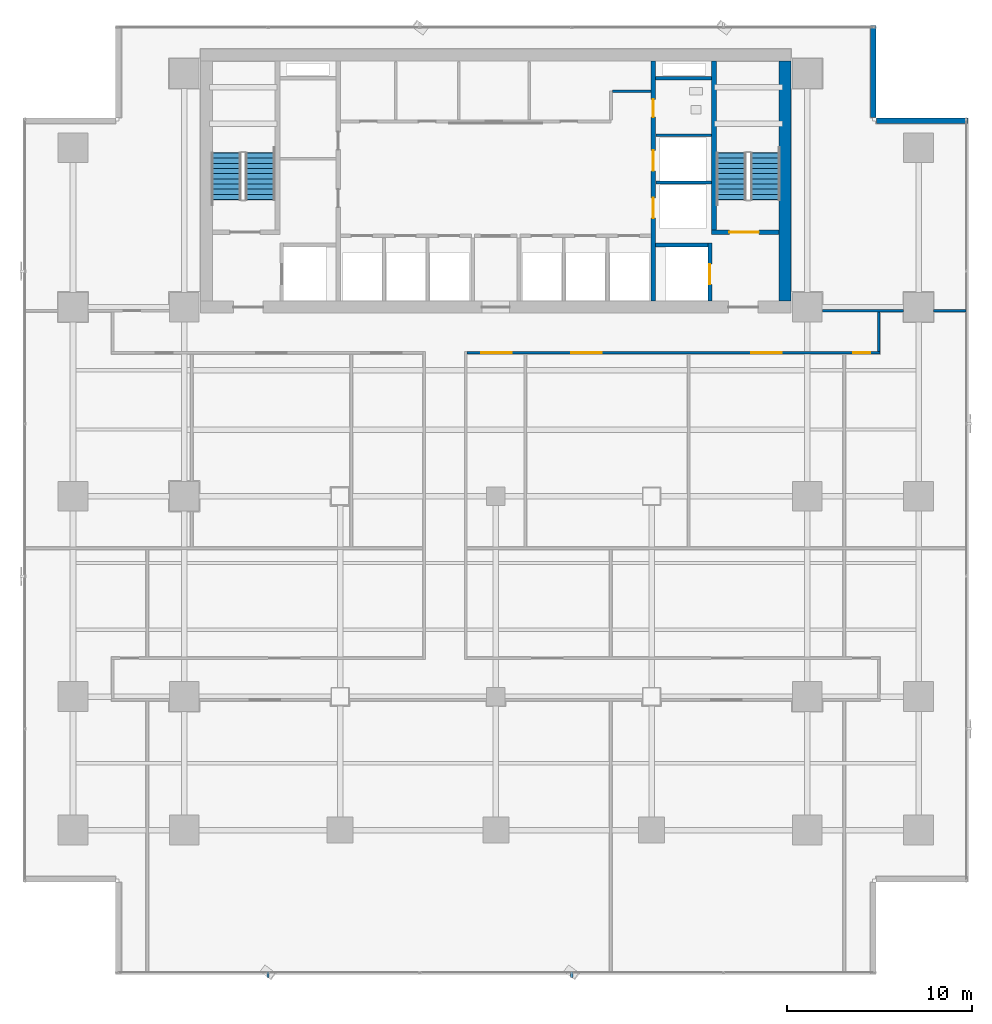
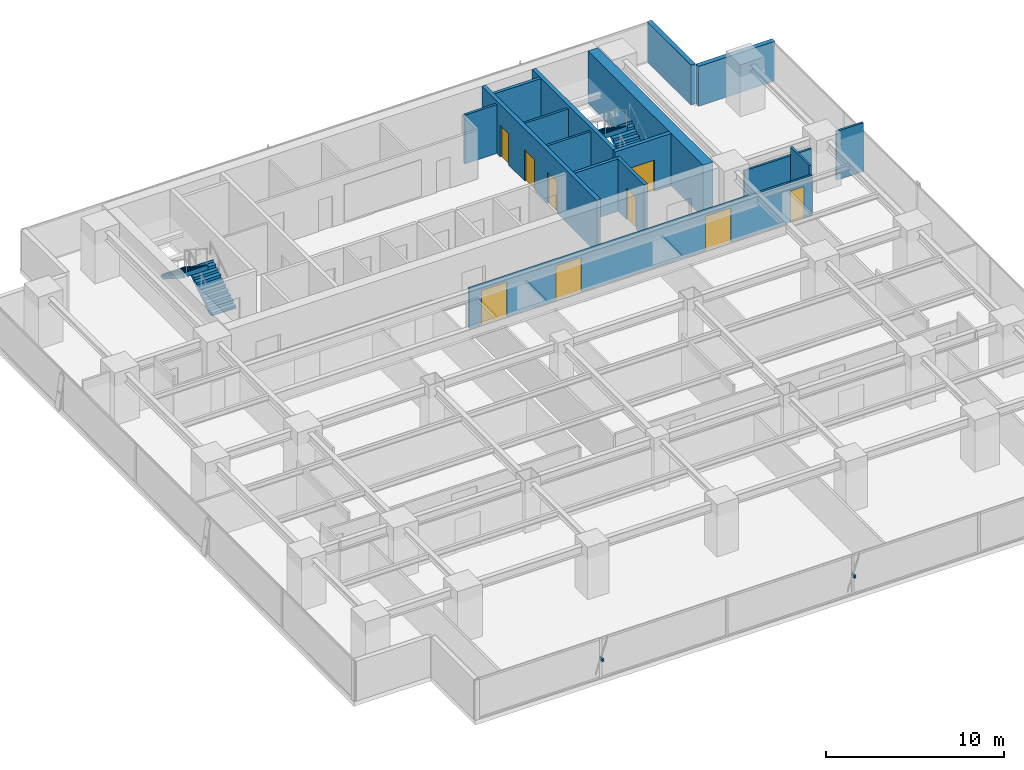
# One storey, part 30 of 36: 16 walls, 9 doors, 4 stair flights, 2 discrete accessories, 9 openings, 2 elements without a shape of their own.
"""IFC4 building model written with IfcOpenShell, lengths in metres."""

from ifc_helpers import new_model, si_unit, direction, frame, frame_2d, origin, origin_2d, place, context, subcontext, project, spatial, polyline, rectangle, outline, extrude, source, transform, mapped, material, layer, layer_set, material_profile, profile_set, type_object, element, fill, aggregate, save


model = new_model("IFC4")

# Units and contexts
model_context = context("Model", 3, precision=1e-05, world=origin(), true_north=direction((0.0, 1.0)))
body_context = subcontext(model_context, "Body", "Model", "MODEL_VIEW")
ifc_project = project(units=[si_unit("LENGTHUNIT", "METRE"), si_unit("AREAUNIT", "SQUARE_METRE"), si_unit("VOLUMEUNIT", "CUBIC_METRE"), si_unit("PLANEANGLEUNIT", "RADIAN"), si_unit("MASSUNIT", "GRAM", prefix="KILO")], contexts=[model_context])

# Site, building, storey
site_placement = place(None, origin())
site = spatial("IfcSite", under=ifc_project, at=site_placement, CompositionType="ELEMENT")
building_placement = place(site_placement, origin())
building = spatial("IfcBuilding", under=site, at=building_placement, Name="Sumidabori Civic Tower", CompositionType="ELEMENT")
storey_placement = place(building_placement, frame((0.0, 0.0, 77.60009765625)))
storey = spatial("IfcBuildingStorey", under=building, at=storey_placement, Name="L19", CompositionType="ELEMENT", Elevation=77.60009765625)

# Walls
ifc_material_1 = material(Name="Concrete C50/60", Category="concrete")
ifc_layer_1 = layer(ifc_material_1, 0.199951171875, Name="Concrete C50/60")
ifc_layer_set_1 = layer_set([ifc_layer_1], Name="Concrete C50/60")
wall_type_1 = type_object("IfcWallType", Name="WL-SHAFT-200", PredefinedType="SHEAR", material=ifc_layer_set_1)
shared_shape_1 = source(origin(), body_context, "Body", "SweptSolid", [
    extrude(rectangle(XDim=2.824951171875, YDim=0.199951171875, at=frame_2d((1.41259765625, 0.0))), origin(), (0.0, 0.0, 1.0), 3.599853515625),
])
wall_1_placement = place(storey_placement, frame((8.625, 13.550048828125, 0.0), z_axis=(0.0, 0.0, 1.0), x_axis=(1.0, 0.0, 0.0)))
element("IfcWall", 1, at=wall_1_placement, inside=storey, type_object=wall_type_1, Name="Core Shear Wall L19 EL2-N", PredefinedType="SHEAR", context=body_context, shape_type="MappedRepresentation", body=[
    mapped(shared_shape_1, transform((0.0, 0.0, 0.0), x_axis=(1.0, 0.0, 0.0), y_axis=(0.0, 1.0, 0.0), z_axis=(0.0, 0.0, 1.0), scale=1.0)),
])
shared_shape_2 = source(origin(), body_context, "Body", "SweptSolid", [
    extrude(rectangle(XDim=3.02001953125, YDim=0.199951171875, at=frame_2d((1.510009765625, 0.0))), origin(), (0.0, 0.0, 1.0), 3.599853515625),
])
wall_2_placement = place(storey_placement, frame((8.625, 22.550048828125, 0.0), z_axis=(0.0, 0.0, 1.0), x_axis=(1.0, 0.0, 0.0)))
element("IfcWall", 2, at=wall_2_placement, inside=storey, type_object=wall_type_1, Name="Core Shear Wall L19 RIS2-S", PredefinedType="SHEAR", context=body_context, shape_type="MappedRepresentation", body=[
    mapped(shared_shape_2, transform((0.0, 0.0, 0.0), x_axis=(1.0, 0.0, 0.0), y_axis=(0.0, 1.0, 0.0), z_axis=(0.0, 0.0, 1.0), scale=1.0)),
])
ifc_material_2 = material(Name="Concrete C60/75", Category="concrete")
ifc_layer_2 = layer(ifc_material_2, 0.64990234375, Name="Concrete C60/75")
ifc_layer_set_2 = layer_set([ifc_layer_2], Name="Concrete C60/75")
wall_type_2 = type_object("IfcWallType", Name="WL-CORE-650", PredefinedType="SHEAR", material=ifc_layer_set_2)
shared_shape_3 = source(origin(), body_context, "Body", "SweptSolid", [
    extrude(rectangle(XDim=12.9501953125, YDim=0.64990234375, at=frame_2d((6.47509765625, 0.0))), origin(), (0.0, 0.0, 1.0), 3.599853515625),
])
wall_3_placement = place(storey_placement, frame((15.60009765625, 10.52490234375, 0.0), z_axis=(0.0, 0.0, 1.0), x_axis=(0.0, 1.0, 0.0)))
element("IfcWall", 3, at=wall_3_placement, inside=storey, type_object=wall_type_2, Name="Core Shear Wall L19 E", PredefinedType="SHEAR", context=body_context, shape_type="MappedRepresentation", body=[
    mapped(shared_shape_3, transform((0.0, 0.0, 0.0), x_axis=(1.0, 0.0, 0.0), y_axis=(0.0, 1.0, 0.0), z_axis=(0.0, 0.0, 1.0), scale=1.0)),
])

# Wall, openings, doors
ifc_layer_3 = layer(ifc_material_1, 0.25, Name="Concrete C50/60")
ifc_layer_set_3 = layer_set([ifc_layer_3], Name="Concrete C50/60")
wall_type_3 = type_object("IfcWallType", Name="WL-SHAFT-250", PredefinedType="SHEAR", material=ifc_layer_set_3)
shared_shape_4 = source(origin(), body_context, "Body", "SweptSolid", [
    extrude(rectangle(XDim=12.9501953125, YDim=0.25, at=frame_2d((6.47509765625, 0.0))), origin(), (0.0, 0.0, 1.0), 3.599853515625),
])
wall_4_placement = place(storey_placement, frame((8.5, 10.52490234375, 0.0), z_axis=(0.0, 0.0, 1.0), x_axis=(0.0, 1.0, 0.0)))
wall_4 = element("IfcWall", 4, at=wall_4_placement, inside=storey, type_object=wall_type_3, Name="Core Shear Wall L19 WEB-E", PredefinedType="SHEAR", context=body_context, shape_type="MappedRepresentation", body=[
    mapped(shared_shape_4, transform((0.0, 0.0, 0.0), x_axis=(1.0, 0.0, 0.0), y_axis=(0.0, 1.0, 0.0), z_axis=(0.0, 0.0, 1.0), scale=1.0)),
])
opening_1_placement = place(wall_4_placement, frame((4.47509765625, 0.0, 0.0)))
opening_1 = element("IfcOpeningElement", 5, at=opening_1_placement, cuts=wall_4, Name="Opening LD-1", PredefinedType="OPENING", context=body_context, shape_type="SweptSolid", body=[
    extrude(rectangle(XDim=1.10009765625, YDim=2.14990234375, at=frame_2d((0.550048828125, 1.074951171875))), frame((0.0, 0.136962890625, 0.0), z_axis=(0.0, -1.0, 0.0), x_axis=(1.0, 0.0, 0.0)), (0.0, 0.0, 1.0), 0.27392578125),
])
opening_2_placement = place(wall_4_placement, frame((7.02490234375, 0.0, 0.0)))
opening_2 = element("IfcOpeningElement", 6, at=opening_2_placement, cuts=wall_4, Name="Opening LD-1", PredefinedType="OPENING", context=body_context, shape_type="SweptSolid", body=[
    extrude(rectangle(XDim=1.10009765625, YDim=2.14990234375, at=frame_2d((0.550048828125, 1.074951171875))), frame((0.0, 0.136962890625, 0.0), z_axis=(0.0, -1.0, 0.0), x_axis=(1.0, 0.0, 0.0)), (0.0, 0.0, 1.0), 0.27392578125),
])
opening_3_placement = place(wall_4_placement, frame((9.925048828125, 0.0, 0.0)))
opening_3 = element("IfcOpeningElement", 7, at=opening_3_placement, cuts=wall_4, Name="Opening DR-2", PredefinedType="OPENING", context=body_context, shape_type="SweptSolid", body=[
    extrude(rectangle(XDim=0.949951171875, YDim=2.14990234375, at=frame_2d((0.47509765625, 1.074951171875))), frame((0.0, 0.136962890625, 0.0), z_axis=(0.0, -1.0, 0.0), x_axis=(1.0, 0.0, 0.0)), (0.0, 0.0, 1.0), 0.27392578125),
])
ifc_material_3 = material(Name="Stainless Steel Hairline Finish", Category="steel")
door_type_1 = type_object("IfcDoorType", Name="DR-LD1", OperationType="DOUBLE_DOOR_SLIDING", PredefinedType="DOOR", material=ifc_material_3)
shared_shape_5 = source(origin(), body_context, "Body", "SweptSolid", [
    extrude(rectangle(XDim=1.10009765625, YDim=2.14990234375, at=frame_2d((0.550048828125, 1.074951171875))), frame((0.0, 0.02490234375, 0.0), z_axis=(0.0, -1.0, 0.0), x_axis=(1.0, 0.0, 0.0)), (0.0, 0.0, 1.0), 0.050048828125),
])
door_1_placement = place(opening_1_placement, origin())
door_1 = element("IfcDoor", 8, at=door_1_placement, inside=storey, type_object=door_type_1, Name="Door DR:L19:LD-OBS1", OperationType="DOUBLE_DOOR_SLIDING", OverallHeight=2.14990234375, OverallWidth=1.10009765625, PredefinedType="DOOR", context=body_context, shape_type="MappedRepresentation", body=[
    mapped(shared_shape_5, transform((0.0, 0.0, 0.0), x_axis=(1.0, 0.0, 0.0), y_axis=(0.0, 1.0, 0.0), z_axis=(0.0, 0.0, 1.0), scale=1.0)),
])
fill(opening_1, door_1)
door_2_placement = place(opening_2_placement, origin())
door_2 = element("IfcDoor", 9, at=door_2_placement, inside=storey, type_object=door_type_1, Name="Door DR:L19:LD-OBS2", OperationType="DOUBLE_DOOR_SLIDING", OverallHeight=2.14990234375, OverallWidth=1.10009765625, PredefinedType="DOOR", context=body_context, shape_type="MappedRepresentation", body=[
    mapped(shared_shape_5, transform((0.0, 0.0, 0.0), x_axis=(1.0, 0.0, 0.0), y_axis=(0.0, 1.0, 0.0), z_axis=(0.0, 0.0, 1.0), scale=1.0)),
])
fill(opening_2, door_2)
ifc_material_4 = material(Name="Japanese Hinoki Timber", Category="wood")
door_type_2 = type_object("IfcDoorType", Name="DR-INT-950", OperationType="NOTDEFINED", PredefinedType="DOOR", material=ifc_material_4)
shared_shape_6 = source(origin(), body_context, "Body", "SweptSolid", [
    extrude(rectangle(XDim=0.949951171875, YDim=2.14990234375, at=frame_2d((0.47509765625, 1.074951171875))), frame((0.0, 0.02490234375, 0.0), z_axis=(0.0, -1.0, 0.0), x_axis=(1.0, 0.0, 0.0)), (0.0, 0.0, 1.0), 0.050048828125),
])
door_3_placement = place(opening_3_placement, origin())
door_3 = element("IfcDoor", 10, at=door_3_placement, inside=storey, type_object=door_type_2, Name="Door DR:L19:WC-ACC", OperationType="SINGLE_SWING_RIGHT", OverallHeight=2.14990234375, OverallWidth=0.949951171875, PredefinedType="DOOR", context=body_context, shape_type="MappedRepresentation", body=[
    mapped(shared_shape_6, transform((0.0, 0.0, 0.0), x_axis=(1.0, 0.0, 0.0), y_axis=(0.0, 1.0, 0.0), z_axis=(0.0, 0.0, 1.0), scale=1.0)),
])
fill(opening_3, door_3)

# Wall, opening, door
shared_shape_7 = source(origin(), body_context, "Body", "SweptSolid", [
    extrude(rectangle(XDim=3.6298828125, YDim=0.25, at=frame_2d((1.81494140625, 0.0))), origin(), (0.0, 0.0, 1.0), 3.599853515625),
])
wall_5_placement = place(storey_placement, frame((11.64501953125, 14.25, 0.0), z_axis=(0.0, 0.0, 1.0), x_axis=(1.0, 0.0, 0.0)))
wall_5 = element("IfcWall", 11, at=wall_5_placement, inside=storey, type_object=wall_type_3, Name="Core Shear Wall L19 ST2-S", PredefinedType="SHEAR", context=body_context, shape_type="MappedRepresentation", body=[
    mapped(shared_shape_7, transform((0.0, 0.0, 0.0), x_axis=(1.0, 0.0, 0.0), y_axis=(0.0, 1.0, 0.0), z_axis=(0.0, 0.0, 1.0), scale=1.0)),
])
opening_4_placement = place(wall_5_placement, frame((0.949951171875, 0.0, 0.0)))
opening_4 = element("IfcOpeningElement", 12, at=opening_4_placement, cuts=wall_5, Name="Opening DR-FD4", PredefinedType="OPENING", context=body_context, shape_type="SweptSolid", body=[
    extrude(rectangle(XDim=1.60009765625, YDim=2.14990234375, at=frame_2d((0.800048828125, 1.074951171875))), frame((0.0, 0.136962890625, 0.0), z_axis=(0.0, -1.0, 0.0), x_axis=(1.0, 0.0, 0.0)), (0.0, 0.0, 1.0), 0.27392578125),
])
ifc_material_5 = material(Name="Steel SN490", Category="steel")
door_type_3 = type_object("IfcDoorType", Name="DR-FD4", OperationType="DOUBLE_DOOR_SINGLE_SWING", PredefinedType="DOOR", material=ifc_material_5)
shared_shape_8 = source(origin(), body_context, "Body", "SweptSolid", [
    extrude(rectangle(XDim=1.60009765625, YDim=2.14990234375, at=frame_2d((0.800048828125, 1.074951171875))), frame((0.0, 0.02490234375, 0.0), z_axis=(0.0, -1.0, 0.0), x_axis=(1.0, 0.0, 0.0)), (0.0, 0.0, 1.0), 0.050048828125),
])
door_4_placement = place(opening_4_placement, origin())
door_4 = element("IfcDoor", 13, at=door_4_placement, inside=storey, type_object=door_type_3, Name="Door DR:L19:ST2", OperationType="DOUBLE_DOOR_SINGLE_SWING", OverallHeight=2.14990234375, OverallWidth=1.60009765625, PredefinedType="DOOR", context=body_context, shape_type="MappedRepresentation", body=[
    mapped(shared_shape_8, transform((0.0, 0.0, 0.0), x_axis=(1.0, 0.0, 0.0), y_axis=(0.0, 1.0, 0.0), z_axis=(0.0, 0.0, 1.0), scale=1.0)),
])
fill(opening_4, door_4)

# Wall
shared_shape_9 = source(origin(), body_context, "Body", "SweptSolid", [
    extrude(rectangle(XDim=9.10009765625, YDim=0.25, at=frame_2d((4.550048828125, 0.0))), origin(), (0.0, 0.0, 1.0), 3.599853515625),
])
wall_6_placement = place(storey_placement, frame((11.77001953125, 14.375, 0.0), z_axis=(0.0, 0.0, 1.0), x_axis=(0.0, 1.0, 0.0)))
element("IfcWall", 14, at=wall_6_placement, inside=storey, type_object=wall_type_3, Name="Core Shear Wall L19 ST2-W", PredefinedType="SHEAR", context=body_context, shape_type="MappedRepresentation", body=[
    mapped(shared_shape_9, transform((0.0, 0.0, 0.0), x_axis=(1.0, 0.0, 0.0), y_axis=(0.0, 1.0, 0.0), z_axis=(0.0, 0.0, 1.0), scale=1.0)),
])

# Wall, opening, door
shared_shape_10 = source(origin(), body_context, "Body", "SweptSolid", [
    extrude(rectangle(XDim=3.125, YDim=0.199951171875, at=frame_2d((1.5625, 0.0))), origin(), (0.0, 0.0, 1.0), 3.599853515625),
])
wall_7_placement = place(storey_placement, frame((11.550048828125, 10.52490234375, 0.0), z_axis=(0.0, 0.0, 1.0), x_axis=(0.0, 1.0, 0.0)))
wall_7 = element("IfcWall", 15, at=wall_7_placement, inside=storey, type_object=wall_type_1, Name="Core Shear Wall L19 EL2-E", PredefinedType="SHEAR", context=body_context, shape_type="MappedRepresentation", body=[
    mapped(shared_shape_10, transform((0.0, 0.0, 0.0), x_axis=(1.0, 0.0, 0.0), y_axis=(0.0, 1.0, 0.0), z_axis=(0.0, 0.0, 1.0), scale=1.0)),
])
opening_5_placement = place(wall_7_placement, frame((0.89990234375, 0.0, 0.0)))
opening_5 = element("IfcOpeningElement", 16, at=opening_5_placement, cuts=wall_7, Name="Opening LD-2", PredefinedType="OPENING", context=body_context, shape_type="SweptSolid", body=[
    extrude(rectangle(XDim=1.10009765625, YDim=2.14990234375, at=frame_2d((0.550048828125, 1.074951171875))), frame((0.0, 0.11181640625, 0.0), z_axis=(0.0, -1.0, 0.0), x_axis=(1.0, 0.0, 0.0)), (0.0, 0.0, 1.0), 0.223876953125),
])
door_type_4 = type_object("IfcDoorType", Name="DR-LD2", OperationType="DOUBLE_DOOR_SLIDING", PredefinedType="DOOR", material=ifc_material_3)
door_5_placement = place(opening_5_placement, origin())
door_5 = element("IfcDoor", 17, at=door_5_placement, inside=storey, type_object=door_type_4, Name="Door DR:L19:LD-EL2", OperationType="DOUBLE_DOOR_SLIDING", OverallHeight=2.14990234375, OverallWidth=1.10009765625, PredefinedType="DOOR", context=body_context, shape_type="MappedRepresentation", body=[
    mapped(shared_shape_5, transform((0.0, 0.0, 0.0), x_axis=(1.0, 0.0, 0.0), y_axis=(0.0, 1.0, 0.0), z_axis=(0.0, 0.0, 1.0), scale=1.0)),
])
fill(opening_5, door_5)

# Walls
ifc_material_6 = material(Name="Precast concrete C40/50", Category="concrete")
ifc_layer_4 = layer(ifc_material_6, 0.300048828125, Name="Precast concrete C40/50")
ifc_layer_set_4 = layer_set([ifc_layer_4], Name="Precast concrete C40/50")
wall_type_4 = type_object("IfcWallType", Name="WL-EXT-POD300", PredefinedType="STANDARD", material=ifc_layer_set_4)
shared_shape_11 = source(origin(), body_context, "Body", "SweptSolid", [
    extrude(rectangle(XDim=4.9599609375, YDim=0.300048828125, at=frame_2d((2.47998046875, 0.0))), origin(), (0.0, 0.0, 1.0), 2.739990234375),
])
for number, where, z_axis, x_axis, name in (
    (18, (25.47998046875, 20.25, 0.0), (0.0, 0.0, 1.0), (-1.0, 0.0, 0.0), "Notched Corner Spandrel Band L19-05"),
    (19, (20.35009765625, 20.419921875, 0.0), (0.0, 0.0, 1.0), (0.0, 1.0, 0.0), "Notched Corner Spandrel Band L19-06"),
):
    element("IfcWall", number, at=place(storey_placement, frame(where, z_axis=z_axis, x_axis=x_axis)), inside=storey, type_object=wall_type_4, Name=name, PredefinedType="STANDARD", context=body_context, shape_type="MappedRepresentation", body=[
        mapped(shared_shape_11, transform((0.0, 0.0, 0.0), x_axis=(1.0, 0.0, 0.0), y_axis=(0.0, 1.0, 0.0), z_axis=(0.0, 0.0, 1.0), scale=1.0)),
    ])
ifc_material_7 = material(Name="Gypsum Plasterboard Acoustic Partition")
ifc_layer_5 = layer(ifc_material_7, 0.14990234375, Name="Gypsum Plasterboard Acoustic Partition")
ifc_layer_set_5 = layer_set([ifc_layer_5], Name="Gypsum Plasterboard Acoustic Partition")
wall_type_5 = type_object("IfcWallType", Name="WL-PART-150", PredefinedType="PARTITIONING", material=ifc_layer_set_5)
shared_shape_12 = source(origin(), body_context, "Body", "SweptSolid", [
    extrude(rectangle(XDim=3.010009765625, YDim=0.14990234375, at=frame_2d((1.5048828125, 0.0))), origin(), (0.0, 0.0, 1.0), 3.35986328125),
])
for number, where, z_axis, x_axis, name in (
    (20, (8.6298828125, 16.919921875, 0.0), (0.0, 0.0, 1.0), (1.0, 0.0, 0.0), "Interior Partition WL:L19:DIV-OBS1"),
    (21, (8.6298828125, 19.469970703125, 0.0), (0.0, 0.0, 1.0), (1.0, 0.0, 0.0), "Interior Partition WL:L19:DIV-OBS2"),
):
    element("IfcWall", number, at=place(storey_placement, frame(where, z_axis=z_axis, x_axis=x_axis)), inside=storey, type_object=wall_type_5, Name=name, PredefinedType="PARTITIONING", context=body_context, shape_type="MappedRepresentation", body=[
        mapped(shared_shape_12, transform((0.0, 0.0, 0.0), x_axis=(1.0, 0.0, 0.0), y_axis=(0.0, 1.0, 0.0), z_axis=(0.0, 0.0, 1.0), scale=1.0)),
    ])
shared_shape_13 = source(origin(), body_context, "Body", "SweptSolid", [
    extrude(rectangle(XDim=2.070068359375, YDim=0.14990234375, at=frame_2d((1.03515625, 0.0))), origin(), (0.0, 0.0, 1.0), 3.35986328125),
])
wall_8_placement = place(storey_placement, frame((6.300048828125, 21.85009765625, 0.0), z_axis=(0.0, 0.0, 1.0), x_axis=(1.0, 0.0, 0.0)))
element("IfcWall", 22, at=wall_8_placement, inside=storey, type_object=wall_type_5, Name="Interior Partition WL:L19:CBAND-ME2", PredefinedType="PARTITIONING", context=body_context, shape_type="MappedRepresentation", body=[
    mapped(shared_shape_13, transform((0.0, 0.0, 0.0), x_axis=(1.0, 0.0, 0.0), y_axis=(0.0, 1.0, 0.0), z_axis=(0.0, 0.0, 1.0), scale=1.0)),
])
ifc_layer_6 = layer(ifc_material_7, 0.135009765625, Name="Gypsum Plasterboard Acoustic Partition")
ifc_layer_set_6 = layer_set([ifc_layer_6], Name="Gypsum Plasterboard Acoustic Partition")
wall_type_6 = type_object("IfcWallType", Name="WL-PART-135", PredefinedType="PARTITIONING", material=ifc_layer_set_6)
shared_shape_14 = source(origin(), body_context, "Body", "SweptSolid", [
    extrude(rectangle(XDim=1.739990234375, YDim=0.135009765625, at=frame_2d((0.8701171875, 0.0))), origin(), (0.0, 0.0, 1.0), 3.35986328125),
])
wall_9_placement = place(storey_placement, frame((23.610107421875, 10.0, 0.0), z_axis=(0.0, 0.0, 1.0), x_axis=(1.0, 0.0, 0.0)))
element("IfcWall", 23, at=wall_9_placement, inside=storey, type_object=wall_type_6, Name="Interior Partition WL:L19:FLK-NE-2", PredefinedType="PARTITIONING", context=body_context, shape_type="MappedRepresentation", body=[
    mapped(shared_shape_14, transform((0.0, 0.0, 0.0), x_axis=(1.0, 0.0, 0.0), y_axis=(0.0, 1.0, 0.0), z_axis=(0.0, 0.0, 1.0), scale=1.0)),
])
shared_shape_15 = source(origin(), body_context, "Body", "SweptSolid", [
    extrude(rectangle(XDim=4.3798828125, YDim=0.135009765625, at=frame_2d((2.18994140625, 0.0))), origin(), (0.0, 0.0, 1.0), 2.744873046875),
])
wall_10_placement = place(storey_placement, frame((17.610107421875, 10.0, 0.0), z_axis=(0.0, 0.0, 1.0), x_axis=(1.0, 0.0, 0.0)))
element("IfcWall", 24, at=wall_10_placement, inside=storey, type_object=wall_type_6, Name="Interior Partition WL:L19:FLK-NE-1", PredefinedType="PARTITIONING", context=body_context, shape_type="MappedRepresentation", body=[
    mapped(shared_shape_15, transform((0.0, 0.0, 0.0), x_axis=(1.0, 0.0, 0.0), y_axis=(0.0, 1.0, 0.0), z_axis=(0.0, 0.0, 1.0), scale=1.0)),
])

# Wall, openings, doors
shared_shape_16 = source(origin(), body_context, "Body", "SweptSolid", [
    extrude(rectangle(XDim=22.300048828125, YDim=0.135009765625, at=frame_2d((11.14990234375, 0.0))), origin(), (0.0, 0.0, 1.0), 2.744873046875),
])
wall_11_placement = place(storey_placement, frame((-1.56494140625, 7.732421875, 0.0), z_axis=(0.0, 0.0, 1.0), x_axis=(1.0, 0.0, 0.0)))
wall_11 = element("IfcWall", 25, at=wall_11_placement, inside=storey, type_object=wall_type_6, Name="Interior Partition WL:L19:CORR-SE", PredefinedType="PARTITIONING", context=body_context, shape_type="MappedRepresentation", body=[
    mapped(shared_shape_16, transform((0.0, 0.0, 0.0), x_axis=(1.0, 0.0, 0.0), y_axis=(0.0, 1.0, 0.0), z_axis=(0.0, 0.0, 1.0), scale=1.0)),
])
opening_6_placement = place(wall_11_placement, frame((20.856201171875, 0.0, 0.0)))
opening_6 = element("IfcOpeningElement", 26, at=opening_6_placement, cuts=wall_11, Name="Opening DR-1", PredefinedType="OPENING", context=body_context, shape_type="SweptSolid", body=[
    extrude(rectangle(XDim=0.89990234375, YDim=2.14990234375, at=frame_2d((0.449951171875, 1.074951171875))), frame((0.0, 0.07958984375, 0.0), z_axis=(0.0, -1.0, 0.0), x_axis=(1.0, 0.0, 0.0)), (0.0, 0.0, 1.0), 0.158935546875),
])
opening_7_placement = place(wall_11_placement, frame((0.78369140625, 0.0, 0.0)))
opening_7 = element("IfcOpeningElement", 27, at=opening_7_placement, cuts=wall_11, Name="Opening DR-6", PredefinedType="OPENING", context=body_context, shape_type="SweptSolid", body=[
    extrude(rectangle(XDim=1.64990234375, YDim=2.35009765625, at=frame_2d((0.824951171875, 1.175048828125))), frame((0.0, 0.07958984375, 0.0), z_axis=(0.0, -1.0, 0.0), x_axis=(1.0, 0.0, 0.0)), (0.0, 0.0, 1.0), 0.158935546875),
])
opening_8_placement = place(wall_11_placement, frame((15.340087890625, 0.0, 0.0)))
opening_8 = element("IfcOpeningElement", 28, at=opening_8_placement, cuts=wall_11, Name="Opening DR-6", PredefinedType="OPENING", context=body_context, shape_type="SweptSolid", body=[
    extrude(rectangle(XDim=1.64990234375, YDim=2.35009765625, at=frame_2d((0.824951171875, 1.175048828125))), frame((0.0, 0.07958984375, 0.0), z_axis=(0.0, -1.0, 0.0), x_axis=(1.0, 0.0, 0.0)), (0.0, 0.0, 1.0), 0.158935546875),
])
opening_9_placement = place(wall_11_placement, frame((5.639892578125, 0.0, 0.0)))
opening_9 = element("IfcOpeningElement", 29, at=opening_9_placement, cuts=wall_11, Name="Opening DR-6", PredefinedType="OPENING", context=body_context, shape_type="SweptSolid", body=[
    extrude(rectangle(XDim=1.64990234375, YDim=2.35009765625, at=frame_2d((0.824951171875, 1.175048828125))), frame((0.0, 0.07958984375, 0.0), z_axis=(0.0, -1.0, 0.0), x_axis=(1.0, 0.0, 0.0)), (0.0, 0.0, 1.0), 0.158935546875),
])
door_type_5 = type_object("IfcDoorType", Name="DR-INT-900", OperationType="NOTDEFINED", PredefinedType="DOOR", material=ifc_material_4)
shared_shape_17 = source(origin(), body_context, "Body", "SweptSolid", [
    extrude(rectangle(XDim=0.89990234375, YDim=2.14990234375, at=frame_2d((0.449951171875, 1.074951171875))), frame((0.0, 0.02490234375, 0.0), z_axis=(0.0, -1.0, 0.0), x_axis=(1.0, 0.0, 0.0)), (0.0, 0.0, 1.0), 0.050048828125),
])
door_6_placement = place(opening_6_placement, origin())
door_6 = element("IfcDoor", 30, at=door_6_placement, inside=storey, type_object=door_type_5, Name="Door DR:L19:D02", OperationType="SINGLE_SWING_RIGHT", OverallHeight=2.14990234375, OverallWidth=0.89990234375, PredefinedType="DOOR", context=body_context, shape_type="MappedRepresentation", body=[
    mapped(shared_shape_17, transform((0.0, 0.0, 0.0), x_axis=(1.0, 0.0, 0.0), y_axis=(0.0, 1.0, 0.0), z_axis=(0.0, 0.0, 1.0), scale=1.0)),
])
fill(opening_6, door_6)
ifc_material_8 = material(Name="Anodised Bronze Aluminium AW-6063-T6", Category="aluminium")
door_type_6 = type_object("IfcDoorType", Name="DR-DBL-1650", OperationType="DOUBLE_DOOR_SINGLE_SWING", PredefinedType="DOOR", material=ifc_material_8)
shared_shape_18 = source(origin(), body_context, "Body", "SweptSolid", [
    extrude(rectangle(XDim=1.64990234375, YDim=2.35009765625, at=frame_2d((0.824951171875, 1.175048828125))), frame((0.0, 0.02490234375, 0.0), z_axis=(0.0, -1.0, 0.0), x_axis=(1.0, 0.0, 0.0)), (0.0, 0.0, 1.0), 0.050048828125),
])
door_7_placement = place(opening_7_placement, origin())
door_7 = element("IfcDoor", 31, at=door_7_placement, inside=storey, type_object=door_type_6, Name="Door DR:L19:D04", OperationType="DOUBLE_DOOR_SINGLE_SWING", OverallHeight=2.35009765625, OverallWidth=1.64990234375, PredefinedType="DOOR", context=body_context, shape_type="MappedRepresentation", body=[
    mapped(shared_shape_18, transform((0.0, 0.0, 0.0), x_axis=(1.0, 0.0, 0.0), y_axis=(0.0, 1.0, 0.0), z_axis=(0.0, 0.0, 1.0), scale=1.0)),
])
fill(opening_7, door_7)
door_8_placement = place(opening_8_placement, origin())
door_8 = element("IfcDoor", 32, at=door_8_placement, inside=storey, type_object=door_type_6, Name="Door DR:L19:D05", OperationType="DOUBLE_DOOR_SINGLE_SWING", OverallHeight=2.35009765625, OverallWidth=1.64990234375, PredefinedType="DOOR", context=body_context, shape_type="MappedRepresentation", body=[
    mapped(shared_shape_18, transform((0.0, 0.0, 0.0), x_axis=(1.0, 0.0, 0.0), y_axis=(0.0, 1.0, 0.0), z_axis=(0.0, 0.0, 1.0), scale=1.0)),
])
fill(opening_8, door_8)
door_9_placement = place(opening_9_placement, origin())
door_9 = element("IfcDoor", 33, at=door_9_placement, inside=storey, type_object=door_type_6, Name="Door DR:L19:D08", OperationType="DOUBLE_DOOR_SINGLE_SWING", OverallHeight=2.35009765625, OverallWidth=1.64990234375, PredefinedType="DOOR", context=body_context, shape_type="MappedRepresentation", body=[
    mapped(shared_shape_18, transform((0.0, 0.0, 0.0), x_axis=(1.0, 0.0, 0.0), y_axis=(0.0, 1.0, 0.0), z_axis=(0.0, 0.0, 1.0), scale=1.0)),
])
fill(opening_9, door_9)

# Wall
shared_shape_19 = source(origin(), body_context, "Body", "SweptSolid", [
    extrude(rectangle(XDim=2.12255859375, YDim=0.135009765625, at=frame_2d((1.061279296875, 0.0))), origin(), (0.0, 0.0, 1.0), 3.35986328125),
])
wall_12_placement = place(storey_placement, frame((20.66748046875, 7.804931640625, 0.0), z_axis=(0.0, 0.0, 1.0), x_axis=(0.0, 1.0, 0.0)))
element("IfcWall", 34, at=wall_12_placement, inside=storey, type_object=wall_type_6, Name="Interior Partition WL:L19:CORR-VNE", PredefinedType="PARTITIONING", context=body_context, shape_type="MappedRepresentation", body=[
    mapped(shared_shape_19, transform((0.0, 0.0, 0.0), x_axis=(1.0, 0.0, 0.0), y_axis=(0.0, 1.0, 0.0), z_axis=(0.0, 0.0, 1.0), scale=1.0)),
])

# Stair, stair flights
ifc_material_9 = material(Name="Concrete C40/50", Category="concrete")
stair_type = type_object("IfcStairType", Name="ST-CORE-1600", PredefinedType="HALF_TURN_STAIR", material=ifc_material_9)
stair_1_placement = place(storey_placement, origin())
stair_1 = element("IfcStair", 35, at=stair_1_placement, inside=storey, type_object=stair_type, Name="L19 ST-1", PredefinedType="HALF_TURN_STAIR")
stair_flight_type = type_object("IfcStairFlightType", Name="SF-CORE-1600", PredefinedType="STRAIGHT", material=ifc_material_9)
shared_shape_20 = source(origin(), body_context, "Body", "SweptSolid", [
    extrude(outline(polyline([(-0.02490234375, 0.0), (-0.02490234375, 0.0400390625), (0.0, 0.0400390625), (0.0, 0.179931640625), (0.280029296875, 0.179931640625), (0.280029296875, 0.360107421875), (0.56005859375, 0.360107421875), (0.56005859375, 0.5400390625), (0.840087890625, 0.5400390625), (0.840087890625, 0.719970703125), (1.1201171875, 0.719970703125), (1.1201171875, 0.89990234375), (1.39990234375, 0.89990234375), (1.39990234375, 1.080078125), (1.679931640625, 1.080078125), (1.679931640625, 1.260009765625), (1.9599609375, 1.260009765625), (1.9599609375, 1.43994140625), (2.239990234375, 1.43994140625), (2.239990234375, 1.6201171875), (2.52001953125, 1.6201171875), (2.52001953125, 1.800048828125), (2.544921875, 1.800048828125), (2.544921875, 1.650146484375), (2.52001953125, 1.44189453125), (0.277099609375, 0.0), (-0.02490234375, 0.0)])), frame((0.0, 0.800048828125, 0.0), z_axis=(0.0, -1.0, 0.0), x_axis=(1.0, 0.0, 0.0)), (0.0, 0.0, 1.0), 1.60009765625),
])
stair_flight_1_placement = place(storey_placement, frame((-12.699951171875, 16.0, 0.0), z_axis=(0.0, 0.0, 1.0), x_axis=(0.0, 1.0, 0.0)))
stair_flight_1 = element("IfcStairFlight", 36, at=stair_flight_1_placement, type_object=stair_flight_type, Name="ST-1 flight 1", NumberOfRisers=10, NumberOfTreads=9, PredefinedType="STRAIGHT", RiserHeight=0.18, TreadLength=0.28, context=body_context, shape_type="MappedRepresentation", body=[
    mapped(shared_shape_20, transform((0.0, 0.0, 0.0), x_axis=(1.0, 0.0, 0.0), y_axis=(0.0, 1.0, 0.0), z_axis=(0.0, 0.0, 1.0), scale=1.0)),
])
stair_flight_2_placement = place(storey_placement, frame((-14.5400390625, 18.52001953125, 1.7998046875), z_axis=(0.0, 0.0, 1.0), x_axis=(0.0, -1.0, 0.0)))
stair_flight_2 = element("IfcStairFlight", 37, at=stair_flight_2_placement, type_object=stair_flight_type, Name="ST-1 flight 2", NumberOfRisers=10, NumberOfTreads=9, PredefinedType="STRAIGHT", RiserHeight=0.18, TreadLength=0.28, context=body_context, shape_type="MappedRepresentation", body=[
    mapped(shared_shape_20, transform((0.0, 0.0, 0.0), x_axis=(1.0, 0.0, 0.0), y_axis=(0.0, 1.0, 0.0), z_axis=(0.0, 0.0, 1.0), scale=1.0)),
])
aggregate(stair_1, [stair_flight_1, stair_flight_2])

stair_2_placement = place(storey_placement, origin())
stair_2 = element("IfcStair", 38, at=stair_2_placement, inside=storey, type_object=stair_type, Name="L19 ST-2", PredefinedType="HALF_TURN_STAIR")
stair_flight_3_placement = place(storey_placement, frame((14.5400390625, 16.0, 0.0), z_axis=(0.0, 0.0, 1.0), x_axis=(0.0, 1.0, 0.0)))
stair_flight_3 = element("IfcStairFlight", 39, at=stair_flight_3_placement, type_object=stair_flight_type, Name="ST-2 flight 1", NumberOfRisers=10, NumberOfTreads=9, PredefinedType="STRAIGHT", RiserHeight=0.18, TreadLength=0.28, context=body_context, shape_type="MappedRepresentation", body=[
    mapped(shared_shape_20, transform((0.0, 0.0, 0.0), x_axis=(1.0, 0.0, 0.0), y_axis=(0.0, 1.0, 0.0), z_axis=(0.0, 0.0, 1.0), scale=1.0)),
])
stair_flight_4_placement = place(storey_placement, frame((12.699951171875, 18.52001953125, 1.7998046875), z_axis=(0.0, 0.0, 1.0), x_axis=(0.0, -1.0, 0.0)))
stair_flight_4 = element("IfcStairFlight", 40, at=stair_flight_4_placement, type_object=stair_flight_type, Name="ST-2 flight 2", NumberOfRisers=10, NumberOfTreads=9, PredefinedType="STRAIGHT", RiserHeight=0.18, TreadLength=0.28, context=body_context, shape_type="MappedRepresentation", body=[
    mapped(shared_shape_20, transform((0.0, 0.0, 0.0), x_axis=(1.0, 0.0, 0.0), y_axis=(0.0, 1.0, 0.0), z_axis=(0.0, 0.0, 1.0), scale=1.0)),
])
aggregate(stair_2, [stair_flight_3, stair_flight_4])

# Discrete accessories
ifc_material_profile = material_profile(ifc_material_3, rectangle(XDim=0.1201171875, YDim=0.179931640625, at=origin_2d()), Name="STEEL BRACKET 180x120")
ifc_profile_set = profile_set([ifc_material_profile], Name="Stainless Steel Hairline Finish")
discrete_accessory_type = type_object("IfcDiscreteAccessoryType", Name="AC-BRK-180", PredefinedType="BRACKET", material=ifc_profile_set)
shared_shape_21 = source(origin(), body_context, "Body", "SweptSolid", [
    extrude(rectangle(XDim=0.1201171875, YDim=0.179931640625, at=origin_2d()), origin(), (0.0, 0.0, 1.0), 0.330078125),
])
for number, where, z_axis, x_axis, name in (
    (41, (-12.281982421875, -25.6298828125, 1.35986328125), (0.0, -1.0, 0.0), (1.0, 0.0, 0.0), "Bronze Fin Fixing Bracket L19-01"),
    (42, (4.093994140625, -25.6298828125, 1.35986328125), (0.0, -1.0, 0.0), (1.0, 0.0, 0.0), "Bronze Fin Fixing Bracket L19-03"),
):
    element("IfcDiscreteAccessory", number, at=place(storey_placement, frame(where, z_axis=z_axis, x_axis=x_axis)), inside=storey, type_object=discrete_accessory_type, Name=name, PredefinedType="BRACKET", context=body_context, shape_type="MappedRepresentation", body=[
        mapped(shared_shape_21, transform((0.0, 0.0, 0.0), x_axis=(1.0, 0.0, 0.0), y_axis=(0.0, 1.0, 0.0), z_axis=(0.0, 0.0, 1.0), scale=1.0)),
    ])

save(model, "model.ifc")
